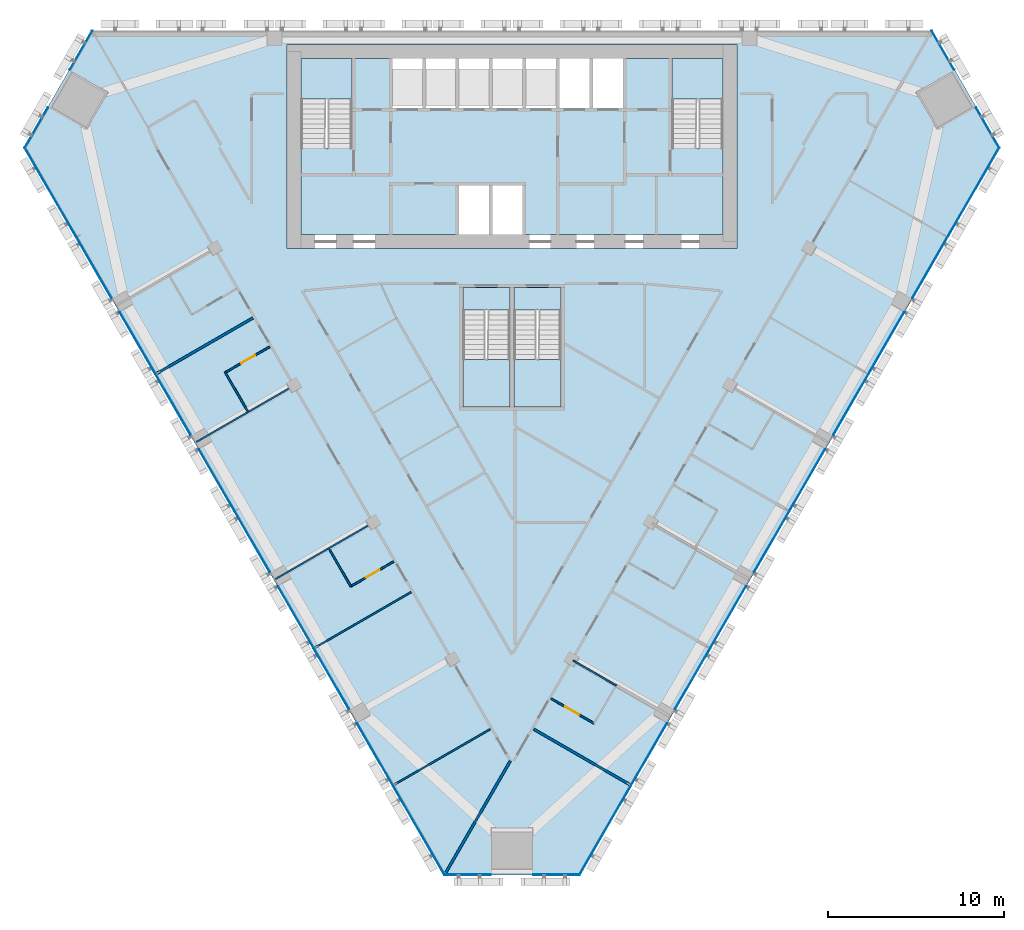
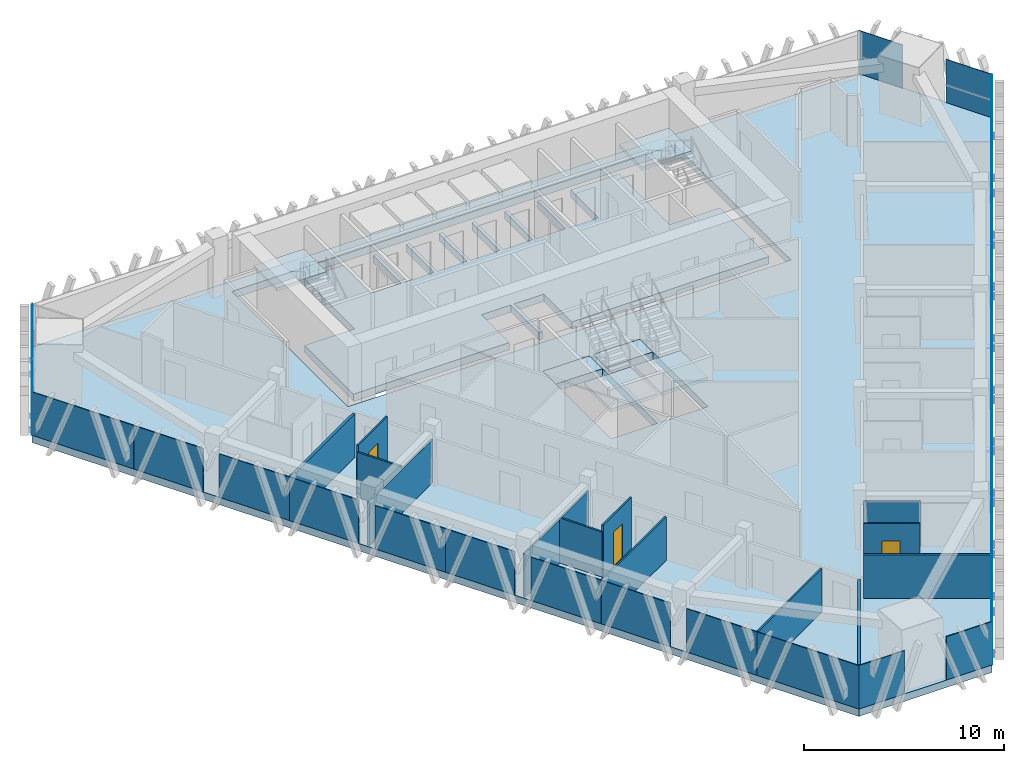
# One storey, part 8 of 16: 26 plates, 13 walls, 8 slabs, 3 doors, 3 openings, 9 elements without a shape of their own.
"""IFC4 building model written with IfcOpenShell, lengths in metres."""

from ifc_helpers import new_model, si_unit, direction, frame, frame_2d, origin, origin_2d, place, context, subcontext, project, spatial, polyline, rectangle, outline, extrude, material, layer, layer_set, type_object, element, fill, aggregate, save


model = new_model("IFC4")

# Units and contexts
model_context = context("Model", 3, precision=1e-05, world=origin(), true_north=direction((0.0, 1.0)))
body_context = subcontext(model_context, "Body", "Model", "MODEL_VIEW")
ifc_project = project(units=[si_unit("LENGTHUNIT", "METRE"), si_unit("AREAUNIT", "SQUARE_METRE"), si_unit("VOLUMEUNIT", "CUBIC_METRE"), si_unit("PLANEANGLEUNIT", "RADIAN"), si_unit("MASSUNIT", "GRAM", prefix="KILO")], contexts=[model_context])

# Site, building, storey
site_placement = place(None, origin())
site = spatial("IfcSite", under=ifc_project, at=site_placement, CompositionType="ELEMENT")
building_placement = place(site_placement, origin())
building = spatial("IfcBuilding", under=site, at=building_placement, Name="Altiplano Prism Tower", CompositionType="ELEMENT")
storey_placement = place(building_placement, frame((0.0, 0.0, 135.0)))
storey = spatial("IfcBuildingStorey", under=building, at=storey_placement, Name="L34", CompositionType="ELEMENT", Elevation=135.0)

# Curtain wall, plates
ifc_material_1 = material(Name="Aluminium and glass", Category="aluminium")
ifc_layer_1 = layer(ifc_material_1, 0.280029296875)
ifc_layer_set_1 = layer_set([ifc_layer_1], Name="Aluminium and glass")
curtain_wall_type = type_object("IfcCurtainWallType", Name="CW1 typical co-living unitised curtain wall", PredefinedType="NOTDEFINED", material=ifc_layer_set_1)
curtain_wall_1_placement = place(storey_placement, origin())
curtain_wall_1 = element("IfcCurtainWall", 1, at=curtain_wall_1_placement, inside=storey, type_object=curtain_wall_type, Name="CW1 curtain wall north-west chamfer L34", PredefinedType="NOTDEFINED")
ifc_material_2 = material(Name="Clear glass", Category="glass")
ifc_layer_2 = layer(ifc_material_2, 0.0400390625)
ifc_layer_set_2 = layer_set([ifc_layer_2], Name="Clear glass")
plate_type = type_object("IfcPlateType", Name="CW1 insulated glass unit 40", PredefinedType="CURTAIN_PANEL", material=ifc_layer_set_2)
plate_1_placement = place(storey_placement, frame((60.4931640625, 103.879150390625, 0.0), z_axis=(0.0, 0.0, 1.0), x_axis=(-0.500000002585, -0.866025402292, 0.0)))
plate_1 = element("IfcPlate", 2, at=plate_1_placement, type_object=plate_type, Name="CW1 panel", PredefinedType="CURTAIN_PANEL", context=body_context, shape_type="SweptSolid", body=[
    extrude(rectangle(XDim=2.555419921875, YDim=0.0400390625, at=origin_2d()), origin(), (0.0, 0.0, 1.0), 2.64990234375),
])
plate_2_placement = place(storey_placement, frame((57.950439453125, 99.47509765625, 0.0), z_axis=(0.0, 0.0, 1.0), x_axis=(-0.500000002585, -0.866025402292, 0.0)))
plate_2 = element("IfcPlate", 3, at=plate_2_placement, type_object=plate_type, Name="CW1 panel", PredefinedType="CURTAIN_PANEL", context=body_context, shape_type="SweptSolid", body=[
    extrude(rectangle(XDim=2.635498046875, YDim=0.0400390625, at=origin_2d()), origin(), (0.0, 0.0, 1.0), 2.64990234375),
])
aggregate(curtain_wall_1, [plate_1, plate_2])

curtain_wall_2_placement = place(storey_placement, origin())
curtain_wall_2 = element("IfcCurtainWall", 4, at=curtain_wall_2_placement, inside=storey, type_object=curtain_wall_type, Name="CW1 curtain wall south-west face L34", PredefinedType="NOTDEFINED")
plate_3_placement = place(storey_placement, frame((58.759765625, 95.80224609375, 0.0), z_axis=(0.0, 0.0, 1.0), x_axis=(0.500000003975, -0.866025401489, 0.0)))
plate_3 = element("IfcPlate", 5, at=plate_3_placement, type_object=plate_type, Name="CW1 panel", PredefinedType="CURTAIN_PANEL", context=body_context, shape_type="SweptSolid", body=[
    extrude(rectangle(XDim=5.872802734375, YDim=0.0400390625, at=origin_2d()), origin(), (0.0, 0.0, 1.0), 2.64990234375),
])
plate_4_placement = place(storey_placement, frame((61.229248046875, 91.524658203125, 0.0), z_axis=(0.0, 0.0, 1.0), x_axis=(0.500000003975, -0.866025401489, 0.0)))
plate_4 = element("IfcPlate", 6, at=plate_4_placement, type_object=plate_type, Name="CW1 panel", PredefinedType="CURTAIN_PANEL", context=body_context, shape_type="SweptSolid", body=[
    extrude(rectangle(XDim=3.985595703125, YDim=0.0400390625, at=origin_2d()), origin(), (0.0, 0.0, 1.0), 2.64990234375),
])
plate_5_placement = place(storey_placement, frame((63.7119140625, 87.224853515625, 0.0), z_axis=(0.0, 0.0, 1.0), x_axis=(0.500000003975, -0.866025401489, 0.0)))
plate_5 = element("IfcPlate", 7, at=plate_5_placement, type_object=plate_type, Name="CW1 panel", PredefinedType="CURTAIN_PANEL", context=body_context, shape_type="SweptSolid", body=[
    extrude(rectangle(XDim=4.064453125, YDim=0.0400390625, at=origin_2d()), origin(), (0.0, 0.0, 1.0), 2.64990234375),
])
plate_6_placement = place(storey_placement, frame((65.729248046875, 83.73046875, 0.0), z_axis=(0.0, 0.0, 1.0), x_axis=(0.500000003975, -0.866025401489, 0.0)))
plate_6 = element("IfcPlate", 8, at=plate_6_placement, type_object=plate_type, Name="CW1 panel", PredefinedType="CURTAIN_PANEL", context=body_context, shape_type="SweptSolid", body=[
    extrude(rectangle(XDim=3.985595703125, YDim=0.0400390625, at=origin_2d()), origin(), (0.0, 0.0, 1.0), 2.64990234375),
])
plate_7_placement = place(storey_placement, frame((68.2119140625, 79.4306640625, 0.0), z_axis=(0.0, 0.0, 1.0), x_axis=(0.500000003975, -0.866025401489, 0.0)))
plate_7 = element("IfcPlate", 9, at=plate_7_placement, type_object=plate_type, Name="CW1 panel", PredefinedType="CURTAIN_PANEL", context=body_context, shape_type="SweptSolid", body=[
    extrude(rectangle(XDim=4.064453125, YDim=0.0400390625, at=origin_2d()), origin(), (0.0, 0.0, 1.0), 2.64990234375),
])
plate_8_placement = place(storey_placement, frame((70.229248046875, 75.936279296875, 0.0), z_axis=(0.0, 0.0, 1.0), x_axis=(0.500000003975, -0.866025401489, 0.0)))
plate_8 = element("IfcPlate", 10, at=plate_8_placement, type_object=plate_type, Name="CW1 panel", PredefinedType="CURTAIN_PANEL", context=body_context, shape_type="SweptSolid", body=[
    extrude(rectangle(XDim=3.985595703125, YDim=0.0400390625, at=origin_2d()), origin(), (0.0, 0.0, 1.0), 2.64990234375),
])
plate_9_placement = place(storey_placement, frame((72.7119140625, 71.636474609375, 0.0), z_axis=(0.0, 0.0, 1.0), x_axis=(0.500000003975, -0.866025401489, 0.0)))
plate_9 = element("IfcPlate", 11, at=plate_9_placement, type_object=plate_type, Name="CW1 panel", PredefinedType="CURTAIN_PANEL", context=body_context, shape_type="SweptSolid", body=[
    extrude(rectangle(XDim=4.064453125, YDim=0.0400390625, at=origin_2d()), origin(), (0.0, 0.0, 1.0), 2.64990234375),
])
plate_10_placement = place(storey_placement, frame((74.729248046875, 68.14208984375, 0.0), z_axis=(0.0, 0.0, 1.0), x_axis=(0.500000003975, -0.866025401489, 0.0)))
plate_10 = element("IfcPlate", 12, at=plate_10_placement, type_object=plate_type, Name="CW1 panel", PredefinedType="CURTAIN_PANEL", context=body_context, shape_type="SweptSolid", body=[
    extrude(rectangle(XDim=3.985595703125, YDim=0.0400390625, at=origin_2d()), origin(), (0.0, 0.0, 1.0), 2.64990234375),
])
plate_11_placement = place(storey_placement, frame((77.2119140625, 63.84228515625, 0.0), z_axis=(0.0, 0.0, 1.0), x_axis=(0.500000003975, -0.866025401489, 0.0)))
plate_11 = element("IfcPlate", 13, at=plate_11_placement, type_object=plate_type, Name="CW1 panel", PredefinedType="CURTAIN_PANEL", context=body_context, shape_type="SweptSolid", body=[
    extrude(rectangle(XDim=4.064453125, YDim=0.0400390625, at=origin_2d()), origin(), (0.0, 0.0, 1.0), 2.64990234375),
])
plate_12_placement = place(storey_placement, frame((79.701171875, 59.530517578125, 0.0), z_axis=(0.0, 0.0, 1.0), x_axis=(0.500000003975, -0.866025401489, 0.0)))
plate_12 = element("IfcPlate", 14, at=plate_12_placement, type_object=plate_type, Name="CW1 panel", PredefinedType="CURTAIN_PANEL", context=body_context, shape_type="SweptSolid", body=[
    extrude(rectangle(XDim=5.872802734375, YDim=0.0400390625, at=origin_2d()), origin(), (0.0, 0.0, 1.0), 2.64990234375),
])
aggregate(curtain_wall_2, [plate_3, plate_4, plate_5, plate_6, plate_7, plate_8, plate_9, plate_10, plate_11, plate_12])

curtain_wall_3_placement = place(storey_placement, origin())
curtain_wall_3 = element("IfcCurtainWall", 15, at=curtain_wall_3_placement, inside=storey, type_object=curtain_wall_type, Name="CW1 curtain wall south chamfer L34", PredefinedType="NOTDEFINED")
plate_13_placement = place(storey_placement, frame((82.477294921875, 56.9931640625, 0.0), z_axis=(0.0, 0.0, 1.0), x_axis=(1.0, 0.0, 0.0)))
plate_13 = element("IfcPlate", 16, at=plate_13_placement, type_object=plate_type, Name="CW1 panel", PredefinedType="CURTAIN_PANEL", context=body_context, shape_type="SweptSolid", body=[
    extrude(rectangle(XDim=2.635498046875, YDim=0.0400390625, at=origin_2d()), origin(), (0.0, 0.0, 1.0), 2.64990234375),
])
plate_14_placement = place(storey_placement, frame((87.522705078125, 56.9931640625, 0.0), z_axis=(0.0, 0.0, 1.0), x_axis=(1.0, 0.0, 0.0)))
plate_14 = element("IfcPlate", 17, at=plate_14_placement, type_object=plate_type, Name="CW1 panel", PredefinedType="CURTAIN_PANEL", context=body_context, shape_type="SweptSolid", body=[
    extrude(rectangle(XDim=2.635498046875, YDim=0.0400390625, at=origin_2d()), origin(), (0.0, 0.0, 1.0), 2.64990234375),
])
aggregate(curtain_wall_3, [plate_13, plate_14])

curtain_wall_4_placement = place(storey_placement, origin())
curtain_wall_4 = element("IfcCurtainWall", 18, at=curtain_wall_4_placement, inside=storey, type_object=curtain_wall_type, Name="CW1 curtain wall south-east face L34", PredefinedType="NOTDEFINED")
plate_15_placement = place(storey_placement, frame((90.298828125, 59.530517578125, 0.0), z_axis=(0.0, 0.0, 1.0), x_axis=(0.500000003975, 0.866025401489, 0.0)))
plate_15 = element("IfcPlate", 19, at=plate_15_placement, type_object=plate_type, Name="CW1 panel", PredefinedType="CURTAIN_PANEL", context=body_context, shape_type="SweptSolid", body=[
    extrude(rectangle(XDim=5.872802734375, YDim=0.0400390625, at=origin_2d()), origin(), (0.0, 0.0, 1.0), 2.64990234375),
])
plate_16_placement = place(storey_placement, frame((92.7880859375, 63.84228515625, 0.0), z_axis=(0.0, 0.0, 1.0), x_axis=(0.500000003975, 0.866025401489, 0.0)))
plate_16 = element("IfcPlate", 20, at=plate_16_placement, type_object=plate_type, Name="CW1 panel", PredefinedType="CURTAIN_PANEL", context=body_context, shape_type="SweptSolid", body=[
    extrude(rectangle(XDim=4.064453125, YDim=0.0400390625, at=origin_2d()), origin(), (0.0, 0.0, 1.0), 2.64990234375),
])
plate_17_placement = place(storey_placement, frame((95.270751953125, 68.14208984375, 0.0), z_axis=(0.0, 0.0, 1.0), x_axis=(0.500000003975, 0.866025401489, 0.0)))
plate_17 = element("IfcPlate", 21, at=plate_17_placement, type_object=plate_type, Name="CW1 panel", PredefinedType="CURTAIN_PANEL", context=body_context, shape_type="SweptSolid", body=[
    extrude(rectangle(XDim=3.985595703125, YDim=0.0400390625, at=origin_2d()), origin(), (0.0, 0.0, 1.0), 2.64990234375),
])
plate_18_placement = place(storey_placement, frame((97.2880859375, 71.636474609375, 0.0), z_axis=(0.0, 0.0, 1.0), x_axis=(0.500000003975, 0.866025401489, 0.0)))
plate_18 = element("IfcPlate", 22, at=plate_18_placement, type_object=plate_type, Name="CW1 panel", PredefinedType="CURTAIN_PANEL", context=body_context, shape_type="SweptSolid", body=[
    extrude(rectangle(XDim=4.064453125, YDim=0.0400390625, at=origin_2d()), origin(), (0.0, 0.0, 1.0), 2.64990234375),
])
plate_19_placement = place(storey_placement, frame((99.770751953125, 75.936279296875, 0.0), z_axis=(0.0, 0.0, 1.0), x_axis=(0.500000003975, 0.866025401489, 0.0)))
plate_19 = element("IfcPlate", 23, at=plate_19_placement, type_object=plate_type, Name="CW1 panel", PredefinedType="CURTAIN_PANEL", context=body_context, shape_type="SweptSolid", body=[
    extrude(rectangle(XDim=3.985595703125, YDim=0.0400390625, at=origin_2d()), origin(), (0.0, 0.0, 1.0), 2.64990234375),
])
plate_20_placement = place(storey_placement, frame((101.7880859375, 79.4306640625, 0.0), z_axis=(0.0, 0.0, 1.0), x_axis=(0.500000003975, 0.866025401489, 0.0)))
plate_20 = element("IfcPlate", 24, at=plate_20_placement, type_object=plate_type, Name="CW1 panel", PredefinedType="CURTAIN_PANEL", context=body_context, shape_type="SweptSolid", body=[
    extrude(rectangle(XDim=4.064453125, YDim=0.0400390625, at=origin_2d()), origin(), (0.0, 0.0, 1.0), 2.64990234375),
])
plate_21_placement = place(storey_placement, frame((104.270751953125, 83.73046875, 0.0), z_axis=(0.0, 0.0, 1.0), x_axis=(0.500000003975, 0.866025401489, 0.0)))
plate_21 = element("IfcPlate", 25, at=plate_21_placement, type_object=plate_type, Name="CW1 panel", PredefinedType="CURTAIN_PANEL", context=body_context, shape_type="SweptSolid", body=[
    extrude(rectangle(XDim=3.985595703125, YDim=0.0400390625, at=origin_2d()), origin(), (0.0, 0.0, 1.0), 2.64990234375),
])
plate_22_placement = place(storey_placement, frame((106.2880859375, 87.224853515625, 0.0), z_axis=(0.0, 0.0, 1.0), x_axis=(0.500000003975, 0.866025401489, 0.0)))
plate_22 = element("IfcPlate", 26, at=plate_22_placement, type_object=plate_type, Name="CW1 panel", PredefinedType="CURTAIN_PANEL", context=body_context, shape_type="SweptSolid", body=[
    extrude(rectangle(XDim=4.064453125, YDim=0.0400390625, at=origin_2d()), origin(), (0.0, 0.0, 1.0), 2.64990234375),
])
plate_23_placement = place(storey_placement, frame((108.770751953125, 91.524658203125, 0.0), z_axis=(0.0, 0.0, 1.0), x_axis=(0.500000003975, 0.866025401489, 0.0)))
plate_23 = element("IfcPlate", 27, at=plate_23_placement, type_object=plate_type, Name="CW1 panel", PredefinedType="CURTAIN_PANEL", context=body_context, shape_type="SweptSolid", body=[
    extrude(rectangle(XDim=3.985595703125, YDim=0.0400390625, at=origin_2d()), origin(), (0.0, 0.0, 1.0), 2.64990234375),
])
plate_24_placement = place(storey_placement, frame((111.240234375, 95.80224609375, 0.0), z_axis=(0.0, 0.0, 1.0), x_axis=(0.500000003975, 0.866025401489, 0.0)))
plate_24 = element("IfcPlate", 28, at=plate_24_placement, type_object=plate_type, Name="CW1 panel", PredefinedType="CURTAIN_PANEL", context=body_context, shape_type="SweptSolid", body=[
    extrude(rectangle(XDim=5.872802734375, YDim=0.0400390625, at=origin_2d()), origin(), (0.0, 0.0, 1.0), 2.64990234375),
])
aggregate(curtain_wall_4, [plate_15, plate_16, plate_17, plate_18, plate_19, plate_20, plate_21, plate_22, plate_23, plate_24])

curtain_wall_5_placement = place(storey_placement, origin())
curtain_wall_5 = element("IfcCurtainWall", 29, at=curtain_wall_5_placement, inside=storey, type_object=curtain_wall_type, Name="CW1 curtain wall north-east chamfer L34", PredefinedType="NOTDEFINED")
plate_25_placement = place(storey_placement, frame((112.049560546875, 99.47509765625, 0.0), z_axis=(0.0, 0.0, 1.0), x_axis=(-0.500000002585, 0.866025402292, 0.0)))
plate_25 = element("IfcPlate", 30, at=plate_25_placement, type_object=plate_type, Name="CW1 panel", PredefinedType="CURTAIN_PANEL", context=body_context, shape_type="SweptSolid", body=[
    extrude(rectangle(XDim=2.635498046875, YDim=0.0400390625, at=origin_2d()), origin(), (0.0, 0.0, 1.0), 2.64990234375),
])
plate_26_placement = place(storey_placement, frame((109.5068359375, 103.879150390625, 0.0), z_axis=(0.0, 0.0, 1.0), x_axis=(-0.500000002585, 0.866025402292, 0.0)))
plate_26 = element("IfcPlate", 31, at=plate_26_placement, type_object=plate_type, Name="CW1 panel", PredefinedType="CURTAIN_PANEL", context=body_context, shape_type="SweptSolid", body=[
    extrude(rectangle(XDim=2.555419921875, YDim=0.0400390625, at=origin_2d()), origin(), (0.0, 0.0, 1.0), 2.64990234375),
])
aggregate(curtain_wall_5, [plate_25, plate_26])

# Slabs
ifc_material_3 = material(Name="Concrete C40/50", Category="concrete")
ifc_layer_3 = layer(ifc_material_3, 0.449951171875)
ifc_layer_set_3 = layer_set([ifc_layer_3], Name="Concrete C40/50")
slab_type_1 = type_object("IfcSlabType", Name="Core floor slab 450", PredefinedType="FLOOR", material=ifc_layer_set_3)
slab_1_placement = place(storey_placement, frame((0.0, 0.0, -0.449951171875)))
element("IfcSlab", 32, at=slab_1_placement, inside=storey, type_object=slab_type_1, Name="Core floor slab L34", PredefinedType="FLOOR", context=body_context, shape_type="SweptSolid", body=[
    extrude(outline(polyline([(97.0, 98.31005859375), (94.10009765625, 98.31005859375), (94.10009765625, 103.39990234375), (91.300048828125, 103.39990234375), (91.300048828125, 100.60009765625), (89.60009765625, 100.60009765625), (89.60009765625, 103.39990234375), (89.39990234375, 103.39990234375), (89.39990234375, 100.60009765625), (87.699951171875, 100.60009765625), (87.699951171875, 103.39990234375), (87.5, 103.39990234375), (87.5, 100.60009765625), (85.800048828125, 100.60009765625), (85.800048828125, 103.39990234375), (85.60009765625, 103.39990234375), (85.60009765625, 100.60009765625), (83.89990234375, 100.60009765625), (83.89990234375, 103.39990234375), (83.699951171875, 103.39990234375), (83.699951171875, 100.60009765625), (82.0, 100.60009765625), (82.0, 103.39990234375), (81.800048828125, 103.39990234375), (81.800048828125, 100.60009765625), (80.10009765625, 100.60009765625), (80.10009765625, 103.39990234375), (79.89990234375, 103.39990234375), (79.89990234375, 100.60009765625), (78.199951171875, 100.60009765625), (78.199951171875, 103.39990234375), (75.89990234375, 103.39990234375), (75.89990234375, 98.31005859375), (73.0, 98.31005859375), (73.0, 93.39990234375), (82.0, 93.39990234375), (82.0, 96.199951171875), (83.699951171875, 96.199951171875), (83.699951171875, 93.39990234375), (83.89990234375, 93.39990234375), (83.89990234375, 96.199951171875), (85.60009765625, 96.199951171875), (85.60009765625, 93.39990234375), (97.0, 93.39990234375), (97.0, 98.31005859375)])), origin(), (0.0, 0.0, 1.0), 0.449951171875),
])
slab_2_placement = place(storey_placement, frame((0.0, 0.0, -0.449951171875)))
element("IfcSlab", 33, at=slab_2_placement, inside=storey, type_object=slab_type_1, Name="Stair 3A landing slab L34", PredefinedType="FLOOR", context=body_context, shape_type="SweptSolid", body=[
    extrude(outline(polyline([(82.199951171875, 89.096923828125), (84.89990234375, 89.096923828125), (84.89990234375, 90.39990234375), (82.199951171875, 90.39990234375), (82.199951171875, 89.096923828125)])), origin(), (0.0, 0.0, 1.0), 0.449951171875),
])
slab_3_placement = place(storey_placement, frame((0.0, 0.0, -0.449951171875)))
element("IfcSlab", 34, at=slab_3_placement, inside=storey, type_object=slab_type_1, Name="Stair 3B landing slab L34", PredefinedType="FLOOR", context=body_context, shape_type="SweptSolid", body=[
    extrude(outline(polyline([(85.10009765625, 89.096923828125), (87.800048828125, 89.096923828125), (87.800048828125, 90.39990234375), (85.10009765625, 90.39990234375), (85.10009765625, 89.096923828125)])), origin(), (0.0, 0.0, 1.0), 0.449951171875),
])
ifc_layer_4 = layer(ifc_material_3, 0.449951171875)
ifc_layer_set_4 = layer_set([ifc_layer_4], Name="Concrete C40/50")
slab_type_2 = type_object("IfcSlabType", Name="Post-tensioned flat slab 450", PredefinedType="FLOOR", material=ifc_layer_set_4)
slab_4_placement = place(storey_placement, frame((0.0, 0.0, -0.449951171875)))
element("IfcSlab", 35, at=slab_4_placement, inside=storey, type_object=slab_type_2, Name="Floor slab L34", PredefinedType="FLOOR", context=body_context, shape_type="SweptSolid", body=[
    extrude(outline(polyline([(81.154541015625, 56.973388671875), (57.271728515625, 98.339599609375), (61.1171875, 105.0), (108.8828125, 105.0), (112.728271484375, 98.339599609375), (88.845458984375, 56.973388671875), (81.154541015625, 56.973388671875)]), holes=[polyline([(72.199951171875, 104.199951171875), (72.199951171875, 92.60009765625), (97.800048828125, 92.60009765625), (97.800048828125, 104.199951171875), (72.199951171875, 104.199951171875)]), polyline([(84.89990234375, 90.39990234375), (82.199951171875, 90.39990234375), (82.199951171875, 83.60009765625), (84.89990234375, 83.60009765625), (84.89990234375, 90.39990234375)]), polyline([(87.800048828125, 83.60009765625), (87.800048828125, 90.39990234375), (85.10009765625, 90.39990234375), (85.10009765625, 83.60009765625), (87.800048828125, 83.60009765625)])]), origin(), (0.0, 0.0, 1.0), 0.449951171875),
])

# Stair, slab
stair_type_1 = type_object("IfcStairType", Name="Exit stair 1400", PredefinedType="HALF_TURN_STAIR", material=ifc_material_3)
stair_1_placement = place(storey_placement, origin())
stair_1 = element("IfcStair", 36, at=stair_1_placement, inside=storey, type_object=stair_type_1, Name="L34 Exit Stair 1", PredefinedType="HALF_TURN_STAIR")
ifc_layer_5 = layer(ifc_material_3, 0.199951171875)
ifc_layer_set_5 = layer_set([ifc_layer_5], Name="Concrete C40/50")
slab_type_3 = type_object("IfcSlabType", Name="Stair landing 200", PredefinedType="LANDING", material=ifc_layer_set_5)
slab_5_placement = place(storey_placement, frame((0.0, 0.0, 1.60009765625)))
slab_5 = element("IfcSlab", 37, at=slab_5_placement, type_object=slab_type_3, Name="ST1 landing 1", PredefinedType="LANDING", context=body_context, shape_type="SweptSolid", body=[
    extrude(outline(polyline([(75.89990234375, 101.096923828125), (75.89990234375, 103.39990234375), (73.0, 103.39990234375), (73.0, 101.096923828125), (75.89990234375, 101.096923828125)])), origin(), (0.0, 0.0, 1.0), 0.199951171875),
])
aggregate(stair_1, [slab_5])

stair_2_placement = place(storey_placement, origin())
stair_2 = element("IfcStair", 38, at=stair_2_placement, inside=storey, type_object=stair_type_1, Name="L34 Exit Stair 2", PredefinedType="HALF_TURN_STAIR")
slab_6_placement = place(storey_placement, frame((0.0, 0.0, 1.60009765625)))
slab_6 = element("IfcSlab", 39, at=slab_6_placement, type_object=slab_type_3, Name="ST2 landing 1", PredefinedType="LANDING", context=body_context, shape_type="SweptSolid", body=[
    extrude(outline(polyline([(97.0, 101.096923828125), (97.0, 103.39990234375), (94.10009765625, 103.39990234375), (94.10009765625, 101.096923828125), (97.0, 101.096923828125)])), origin(), (0.0, 0.0, 1.0), 0.199951171875),
])
aggregate(stair_2, [slab_6])

stair_type_2 = type_object("IfcStairType", Name="Exit stair 1300", PredefinedType="HALF_TURN_STAIR", material=ifc_material_3)
stair_3_placement = place(storey_placement, origin())
stair_3 = element("IfcStair", 40, at=stair_3_placement, inside=storey, type_object=stair_type_2, Name="L34 Exit Stair 3A", PredefinedType="HALF_TURN_STAIR")
slab_7_placement = place(storey_placement, frame((0.0, 0.0, 1.60009765625)))
slab_7 = element("IfcSlab", 41, at=slab_7_placement, type_object=slab_type_3, Name="ST3A landing 1", PredefinedType="LANDING", context=body_context, shape_type="SweptSolid", body=[
    extrude(outline(polyline([(82.199951171875, 86.302978515625), (82.199951171875, 83.60009765625), (84.89990234375, 83.60009765625), (84.89990234375, 86.302978515625), (82.199951171875, 86.302978515625)])), origin(), (0.0, 0.0, 1.0), 0.199951171875),
])
aggregate(stair_3, [slab_7])

stair_4_placement = place(storey_placement, origin())
stair_4 = element("IfcStair", 42, at=stair_4_placement, inside=storey, type_object=stair_type_2, Name="L34 Exit Stair 3B", PredefinedType="HALF_TURN_STAIR")
slab_8_placement = place(storey_placement, frame((0.0, 0.0, 1.60009765625)))
slab_8 = element("IfcSlab", 43, at=slab_8_placement, type_object=slab_type_3, Name="ST3B landing 1", PredefinedType="LANDING", context=body_context, shape_type="SweptSolid", body=[
    extrude(outline(polyline([(85.10009765625, 86.302978515625), (85.10009765625, 83.60009765625), (87.800048828125, 83.60009765625), (87.800048828125, 86.302978515625), (85.10009765625, 86.302978515625)])), origin(), (0.0, 0.0, 1.0), 0.199951171875),
])
aggregate(stair_4, [slab_8])

# Wall
ifc_material_4 = material(Name="Plasterboard on steel stud", Category="steel")
ifc_layer_6 = layer(ifc_material_4, 0.10009765625)
ifc_layer_set_6 = layer_set([ifc_layer_6], Name="Plasterboard on steel stud")
wall_type_1 = type_object("IfcWallType", Name="Partition 100 unit", PredefinedType="PARTITIONING", material=ifc_layer_set_6)
wall_1_placement = place(storey_placement, frame((69.96923828125, 83.3466796875, 0.0), z_axis=(0.0, 0.0, 1.0), x_axis=(-0.499948979701, 0.866054858364, 0.0)))
element("IfcWall", 44, at=wall_1_placement, inside=storey, type_object=wall_type_1, Name="Partition P02 L34 038", PredefinedType="PARTITIONING", context=body_context, shape_type="SweptSolid", body=[
    extrude(rectangle(XDim=2.550048828125, YDim=0.10009765625, at=frame_2d((1.27490234375, 0.0))), origin(), (0.0, 0.0, 1.0), 2.75),
])

# Wall, opening, door
wall_2_placement = place(storey_placement, frame((68.6943359375, 85.55517578125, 0.0), z_axis=(0.0, 0.0, 1.0), x_axis=(0.866025730634, 0.499999433879, 0.0)))
wall_2 = element("IfcWall", 45, at=wall_2_placement, inside=storey, type_object=wall_type_1, Name="Partition P02 L34 039", PredefinedType="PARTITIONING", context=body_context, shape_type="SweptSolid", body=[
    extrude(rectangle(XDim=2.9248046875, YDim=0.10009765625, at=frame_2d((1.46240234375, 0.0))), origin(), (0.0, 0.0, 1.0), 3.14990234375),
])
opening_1_placement = place(wall_2_placement, frame((1.050048828125, 0.0, 0.0)))
opening_1 = element("IfcOpeningElement", 46, at=opening_1_placement, cuts=wall_2, Name="Opening D1231", PredefinedType="OPENING", context=body_context, shape_type="SweptSolid", body=[
    extrude(rectangle(XDim=0.89990234375, YDim=2.10009765625, at=frame_2d((0.449951171875, 1.050048828125))), frame((0.0, 0.060546875, 0.0), z_axis=(0.0, -1.0, 0.0), x_axis=(1.0, 0.0, 0.0)), (0.0, 0.0, 1.0), 0.12109375),
])
ifc_material_5 = material(Name="Timber", Category="wood")
door_type = type_object("IfcDoorType", Name="Ensuite door 900 x 2100", OperationType="NOTDEFINED", PredefinedType="NOTDEFINED", material=ifc_material_5)
door_1_placement = place(opening_1_placement, origin())
door_1 = element("IfcDoor", 47, at=door_1_placement, inside=storey, type_object=door_type, Name="Door D1231", OperationType="SINGLE_SWING_RIGHT", OverallHeight=2.10009765625, OverallWidth=0.89990234375, PredefinedType="NOTDEFINED", context=body_context, shape_type="SweptSolid", body=[
    extrude(rectangle(XDim=0.89990234375, YDim=2.10009765625, at=frame_2d((0.449951171875, 1.050048828125))), frame((0.0, 0.02490234375, 0.0), z_axis=(0.0, -1.0, 0.0), x_axis=(1.0, 0.0, 0.0)), (0.0, 0.0, 1.0), 0.050048828125),
])
fill(opening_1, door_1)

wall_3_placement = place(storey_placement, frame((78.27734375, 74.806640625, 0.0), z_axis=(0.0, 0.0, 1.0), x_axis=(-0.866048868473, -0.499959355765, 0.0)))
wall_3 = element("IfcWall", 48, at=wall_3_placement, inside=storey, type_object=wall_type_1, Name="Partition P02 L34 042", PredefinedType="PARTITIONING", context=body_context, shape_type="SweptSolid", body=[
    extrude(rectangle(XDim=2.824951171875, YDim=0.10009765625, at=frame_2d((1.41259765625, 0.0))), origin(), (0.0, 0.0, 1.0), 3.14990234375),
])
opening_2_placement = place(wall_3_placement, frame((0.925048828125, 0.0, 0.0)))
opening_2 = element("IfcOpeningElement", 49, at=opening_2_placement, cuts=wall_3, Name="Opening D1234", PredefinedType="OPENING", context=body_context, shape_type="SweptSolid", body=[
    extrude(rectangle(XDim=0.89990234375, YDim=2.10009765625, at=frame_2d((0.449951171875, 1.050048828125))), frame((0.0, 0.060546875, 0.0), z_axis=(0.0, -1.0, 0.0), x_axis=(1.0, 0.0, 0.0)), (0.0, 0.0, 1.0), 0.12109375),
])
door_2_placement = place(opening_2_placement, origin())
door_2 = element("IfcDoor", 50, at=door_2_placement, inside=storey, type_object=door_type, Name="Door D1234", OperationType="SINGLE_SWING_LEFT", OverallHeight=2.10009765625, OverallWidth=0.89990234375, PredefinedType="NOTDEFINED", context=body_context, shape_type="SweptSolid", body=[
    extrude(rectangle(XDim=0.89990234375, YDim=2.10009765625, at=frame_2d((0.449951171875, 1.050048828125))), frame((0.0, 0.02490234375, 0.0), z_axis=(0.0, -1.0, 0.0), x_axis=(1.0, 0.0, 0.0)), (0.0, 0.0, 1.0), 0.050048828125),
])
fill(opening_2, door_2)

# Wall
wall_4_placement = place(storey_placement, frame((75.830810546875, 73.394287109375, 0.0), z_axis=(0.0, 0.0, 1.0), x_axis=(-0.499987006516, 0.866032905446, 0.0)))
element("IfcWall", 51, at=wall_4_placement, inside=storey, type_object=wall_type_1, Name="Partition P02 L34 043", PredefinedType="PARTITIONING", context=body_context, shape_type="SweptSolid", body=[
    extrude(rectangle(XDim=2.44970703125, YDim=0.10009765625, at=frame_2d((1.224853515625, 0.0))), origin(), (0.0, 0.0, 1.0), 2.75),
])

# Wall, opening, door
wall_5_placement = place(storey_placement, frame((89.669189453125, 65.60009765625, 0.0), z_axis=(0.0, 0.0, 1.0), x_axis=(-0.866048868473, 0.499959355765, 0.0)))
wall_5 = element("IfcWall", 52, at=wall_5_placement, inside=storey, type_object=wall_type_1, Name="Partition P02 L34 049", PredefinedType="PARTITIONING", context=body_context, shape_type="SweptSolid", body=[
    extrude(rectangle(XDim=2.824951171875, YDim=0.10009765625, at=frame_2d((1.41259765625, 0.0))), origin(), (0.0, 0.0, 1.0), 3.14990234375),
])
opening_3_placement = place(wall_5_placement, frame((1.0, 0.0, 0.0)))
opening_3 = element("IfcOpeningElement", 53, at=opening_3_placement, cuts=wall_5, Name="Opening D1239", PredefinedType="OPENING", context=body_context, shape_type="SweptSolid", body=[
    extrude(rectangle(XDim=0.89990234375, YDim=2.10009765625, at=frame_2d((0.449951171875, 1.050048828125))), frame((0.0, 0.060546875, 0.0), z_axis=(0.0, -1.0, 0.0), x_axis=(1.0, 0.0, 0.0)), (0.0, 0.0, 1.0), 0.12109375),
])
door_3_placement = place(opening_3_placement, origin())
door_3 = element("IfcDoor", 54, at=door_3_placement, inside=storey, type_object=door_type, Name="Door D1239", OperationType="SINGLE_SWING_LEFT", OverallHeight=2.10009765625, OverallWidth=0.89990234375, PredefinedType="NOTDEFINED", context=body_context, shape_type="SweptSolid", body=[
    extrude(rectangle(XDim=0.89990234375, YDim=2.10009765625, at=frame_2d((0.449951171875, 1.050048828125))), frame((0.0, 0.02490234375, 0.0), z_axis=(0.0, -1.0, 0.0), x_axis=(1.0, 0.0, 0.0)), (0.0, 0.0, 1.0), 0.050048828125),
])
fill(opening_3, door_3)

# Walls
ifc_layer_7 = layer(ifc_material_4, 0.10009765625)
ifc_layer_set_7 = layer_set([ifc_layer_7], Name="Plasterboard on steel stud")
wall_type_2 = type_object("IfcWallType", Name="Partition 100 wet", PredefinedType="PARTITIONING", material=ifc_layer_set_7)
for number, where, z_axis, x_axis, name in (
    (55, (67.0498046875, 81.603515625, 0.0), (0.0, 0.0, 1.0), (0.866015887322, 0.500016482634, 0.0), "Partition P03 L34 040"),
    (56, (71.5498046875, 73.809326171875, 0.0), (0.0, 0.0, 1.0), (0.866032601554, 0.49998753289, 0.0), "Partition P03 L34 041"),
):
    element("IfcWall", number, at=place(storey_placement, frame(where, z_axis=z_axis, x_axis=x_axis)), inside=storey, type_object=wall_type_2, Name=name, PredefinedType="PARTITIONING", context=body_context, shape_type="SweptSolid", body=[
        extrude(rectangle(XDim=6.324951171875, YDim=0.10009765625, at=frame_2d((3.16259765625, 0.0))), origin(), (0.0, 0.0, 1.0), 2.64990234375),
    ])
for number, where, z_axis, x_axis, name in (
    (57, (73.7822265625, 69.902099609375, 0.0), (0.0, 0.0, 1.0), (0.866025401434, 0.500000004071, 0.0), "Partition P03 L34 044"),
    (58, (78.2822265625, 62.10791015625, 0.0), (0.0, 0.0, 1.0), (0.866025401434, 0.500000004071, 0.0), "Partition P03 L34 045"),
):
    element("IfcWall", number, at=place(storey_placement, frame(where, z_axis=z_axis, x_axis=x_axis)), inside=storey, type_object=wall_type_2, Name=name, PredefinedType="PARTITIONING", context=body_context, shape_type="SweptSolid", body=[
        extrude(rectangle(XDim=6.34521484375, YDim=0.10009765625, at=frame_2d((3.172607421875, 0.0))), origin(), (0.0, 0.0, 1.0), 2.64990234375),
    ])
wall_6_placement = place(storey_placement, frame((90.9365234375, 67.755126953125, 0.0), z_axis=(0.0, 0.0, 1.0), x_axis=(-0.866048401274, 0.499960165064, 0.0)))
element("IfcWall", 59, at=wall_6_placement, inside=storey, type_object=wall_type_2, Name="Partition P03 L34 051", PredefinedType="PARTITIONING", context=body_context, shape_type="SweptSolid", body=[
    extrude(rectangle(XDim=2.844970703125, YDim=0.10009765625, at=frame_2d((1.42236328125, 0.0))), origin(), (0.0, 0.0, 1.0), 2.75),
])
ifc_layer_8 = layer(ifc_material_4, 0.14990234375)
ifc_layer_set_8 = layer_set([ifc_layer_8], Name="Plasterboard on steel stud")
wall_type_3 = type_object("IfcWallType", Name="Partition 150 party", PredefinedType="PARTITIONING", material=ifc_layer_set_8)
wall_7_placement = place(storey_placement, frame((64.7822265625, 85.490478515625, 0.0), z_axis=(0.0, 0.0, 1.0), x_axis=(0.866025401434, 0.500000004071, 0.0)))
element("IfcWall", 60, at=wall_7_placement, inside=storey, type_object=wall_type_3, Name="Partition P01 L34 037", PredefinedType="PARTITIONING", context=body_context, shape_type="SweptSolid", body=[
    extrude(rectangle(XDim=6.34521484375, YDim=0.14990234375, at=frame_2d((3.172607421875, 0.0))), origin(), (0.0, 0.0, 1.0), 2.64990234375),
])
wall_8_placement = place(storey_placement, frame((81.19775390625, 57.0478515625, 0.0), z_axis=(0.0, 0.0, 1.0), x_axis=(0.499968367434, 0.866043666085, 0.0)))
element("IfcWall", 61, at=wall_8_placement, inside=storey, type_object=wall_type_3, Name="Partition P01 L34 046", PredefinedType="PARTITIONING", context=body_context, shape_type="SweptSolid", body=[
    extrude(rectangle(XDim=7.41943359375, YDim=0.14990234375, at=frame_2d((3.709716796875, 0.0))), origin(), (0.0, 0.0, 1.0), 2.64990234375),
])
wall_9_placement = place(storey_placement, frame((91.7177734375, 62.10791015625, 0.0), z_axis=(0.0, 0.0, 1.0), x_axis=(-0.866025401434, 0.500000004071, 0.0)))
element("IfcWall", 62, at=wall_9_placement, inside=storey, type_object=wall_type_3, Name="Partition P01 L34 047", PredefinedType="PARTITIONING", context=body_context, shape_type="SweptSolid", body=[
    extrude(rectangle(XDim=6.34521484375, YDim=0.14990234375, at=frame_2d((3.172607421875, 0.0))), origin(), (0.0, 0.0, 1.0), 2.64990234375),
])

save(model, "model.ifc")
